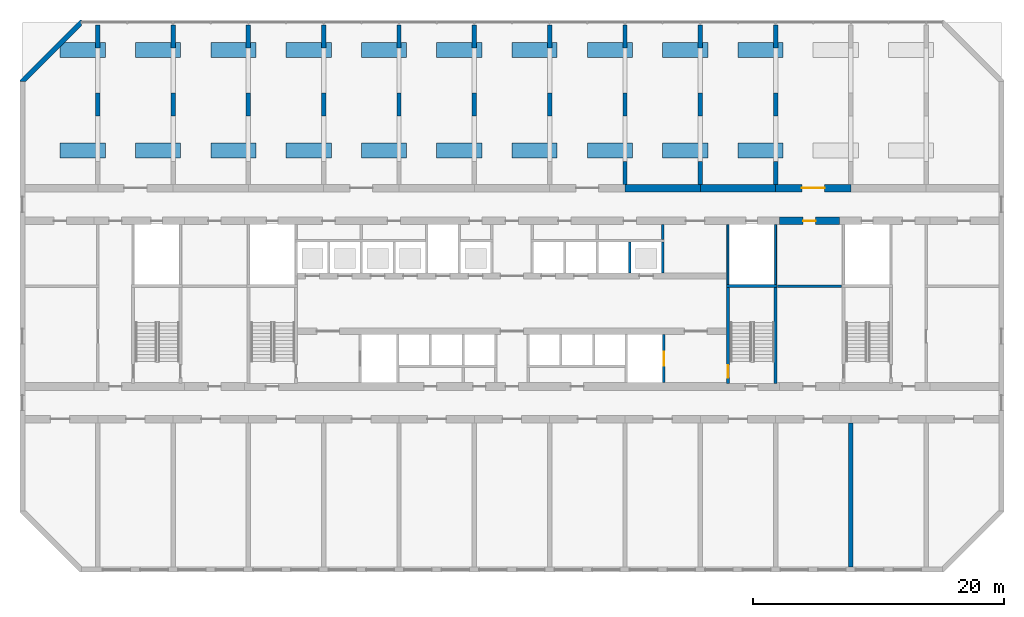
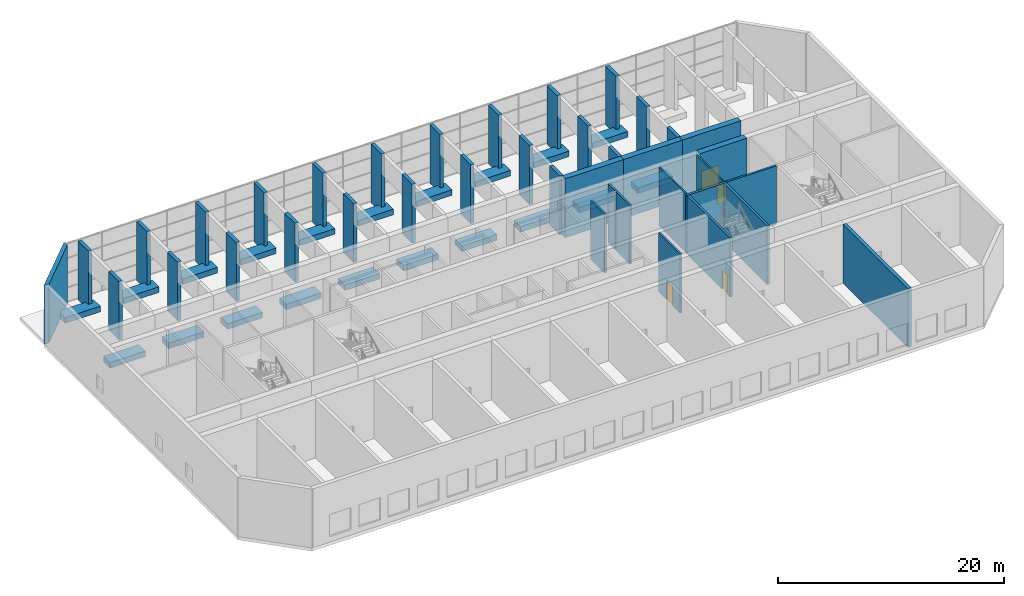
# One storey, part 11 of 16: 59 walls, 4 doors, 4 openings.
"""IFC4 building model written with IfcOpenShell, lengths in metres."""

from ifc_helpers import new_model, si_unit, direction, frame, frame_2d, origin, place, context, subcontext, project, spatial, polyline, rectangle, outline, extrude, source, transform, mapped, material, layer, layer_set, type_object, element, fill, save


model = new_model("IFC4")

# Units and contexts
model_context = context("Model", 3, precision=1e-05, world=origin(), true_north=direction((0.0, 1.0)))
body_context = subcontext(model_context, "Body", "Model", "MODEL_VIEW")
ifc_project = project(units=[si_unit("LENGTHUNIT", "METRE"), si_unit("AREAUNIT", "SQUARE_METRE"), si_unit("VOLUMEUNIT", "CUBIC_METRE"), si_unit("PLANEANGLEUNIT", "RADIAN"), si_unit("MASSUNIT", "GRAM", prefix="KILO")], contexts=[model_context])

# Site, building, storey
site_placement = place(None, origin())
site = spatial("IfcSite", under=ifc_project, at=site_placement, CompositionType="ELEMENT")
building_placement = place(site_placement, origin())
building = spatial("IfcBuilding", under=site, at=building_placement, Name="Poui Terraces", CompositionType="ELEMENT")
storey_placement = place(building_placement, frame((0.0, 0.0, 115.800048828125)))
storey = spatial("IfcBuildingStorey", under=building, at=storey_placement, Name="L32", CompositionType="ELEMENT", Elevation=115.800048828125)

# Walls
ifc_material_1 = material(Name="Concrete 65 MPa", Category="concrete")
ifc_layer_1 = layer(ifc_material_1, 0.60009765625)
ifc_layer_set_1 = layer_set([ifc_layer_1], Name="Concrete 65 MPa")
wall_type_1 = type_object("IfcWallType", Name="BELT WALL 600 65MPa", PredefinedType="SHEAR", material=ifc_layer_set_1)
for number, where, z_axis, x_axis, name in (
    (1, (60.0, 30.39990234375, 0.0), (0.0, 0.0, 1.0), (1.0, 0.0, 0.0), "BELT WALL LINE E BAY 9"),
    (2, (66.0, 30.39990234375, 0.0), (0.0, 0.0, 1.0), (1.0, 0.0, 0.0), "BELT WALL LINE E BAY 10"),
):
    element("IfcWall", number, at=place(storey_placement, frame(where, z_axis=z_axis, x_axis=x_axis)), inside=storey, type_object=wall_type_1, Name=name, PredefinedType="SHEAR", context=body_context, shape_type="SweptSolid", body=[
        extrude(rectangle(XDim=6.0, YDim=0.60009765625, at=frame_2d((3.0, 0.0))), origin(), (0.0, 0.0, 1.0), 6.369873046875),
    ])

# Wall, opening, door
wall_1_placement = place(storey_placement, frame((72.0, 30.39990234375, 0.0), z_axis=(0.0, 0.0, 1.0), x_axis=(1.0, 0.0, 0.0)))
wall_1 = element("IfcWall", 3, at=wall_1_placement, inside=storey, type_object=wall_type_1, Name="BELT WALL LINE E BAY 11", PredefinedType="SHEAR", context=body_context, shape_type="SweptSolid", body=[
    extrude(rectangle(XDim=6.0, YDim=0.60009765625, at=frame_2d((3.0, 0.0))), origin(), (0.0, 0.0, 1.0), 6.369873046875),
])
opening_1_placement = place(wall_1_placement, frame((2.10009765625, 0.0, 0.0)))
opening_1 = element("IfcOpeningElement", 4, at=opening_1_placement, cuts=wall_1, Name="Opening DD180", PredefinedType="OPENING", context=body_context, shape_type="SweptSolid", body=[
    extrude(rectangle(XDim=1.800048828125, YDim=2.10009765625, at=frame_2d((0.89990234375, 1.050048828125))), frame((0.0, 0.31005859375, 0.0), z_axis=(0.0, -1.0, 0.0), x_axis=(1.0, 0.0, 0.0)), (0.0, 0.0, 1.0), 0.6201171875),
])
ifc_material_2 = material(Name="Steel fire door", Category="steel")
door_type_1 = type_object("IfcDoorType", Name="DOUBLE INTERNAL DOOR 1800 X 2100", OperationType="DOUBLE_DOOR_SINGLE_SWING", PredefinedType="DOOR", material=ifc_material_2)
door_1_placement = place(opening_1_placement, frame((1.800048828125, 0.0, 0.0), z_axis=(0.0, 0.0, 1.0), x_axis=(-1.0, 0.0, 0.0)))
door_1 = element("IfcDoor", 5, at=door_1_placement, inside=storey, type_object=door_type_1, Name="DOUBLE INTERNAL DOOR 018", OperationType="DOUBLE_DOOR_SINGLE_SWING", OverallHeight=2.10009765625, OverallWidth=1.800048828125, PredefinedType="DOOR", context=body_context, shape_type="SweptSolid", body=[
    extrude(rectangle(XDim=1.800048828125, YDim=2.10009765625, at=frame_2d((0.89990234375, 1.050048828125))), frame((0.0, 0.02490234375, 0.0), z_axis=(0.0, -1.0, 0.0), x_axis=(1.0, 0.0, 0.0)), (0.0, 0.0, 1.0), 0.050048828125),
])
fill(opening_1, door_1)

# Wall
ifc_layer_2 = layer(ifc_material_1, 0.35009765625)
ifc_layer_set_2 = layer_set([ifc_layer_2], Name="Concrete 65 MPa")
wall_type_2 = type_object("IfcWallType", Name="CROSS WALL 350 65MPa", PredefinedType="SHEAR", material=ifc_layer_set_2)
wall_2_placement = place(storey_placement, frame((78.0, 0.199951171875, 0.0), z_axis=(0.0, 0.0, 1.0), x_axis=(0.0, 1.0, 0.0)))
element("IfcWall", 6, at=wall_2_placement, inside=storey, type_object=wall_type_2, Name="CROSS WALL LINE 14 SOUTH", PredefinedType="SHEAR", context=body_context, shape_type="SweptSolid", body=[
    extrude(rectangle(XDim=11.5, YDim=0.35009765625, at=frame_2d((5.75, 0.0))), origin(), (0.0, 0.0, 1.0), 6.369873046875),
])

# Wall, opening, door
ifc_layer_3 = layer(ifc_material_1, 0.60009765625)
ifc_layer_set_3 = layer_set([ifc_layer_3], Name="Concrete 65 MPa")
wall_type_3 = type_object("IfcWallType", Name="OUTRIGGER WALL 600 65MPa", PredefinedType="SHEAR", material=ifc_layer_set_3)
wall_3_placement = place(storey_placement, frame((72.300048828125, 27.800048828125, 0.0), z_axis=(0.0, 0.0, 1.0), x_axis=(1.0, 0.0, 0.0)))
wall_3 = element("IfcWall", 7, at=wall_3_placement, inside=storey, type_object=wall_type_3, Name="OUTRIGGER WALL LINE D E2", PredefinedType="SHEAR", context=body_context, shape_type="SweptSolid", body=[
    extrude(rectangle(XDim=4.800048828125, YDim=0.60009765625, at=frame_2d((2.39990234375, 0.0))), origin(), (0.0, 0.0, 1.0), 6.369873046875),
])
opening_2_placement = place(wall_3_placement, frame((1.89990234375, 0.0, 0.0)))
opening_2 = element("IfcOpeningElement", 8, at=opening_2_placement, cuts=wall_3, Name="Opening FD60", PredefinedType="OPENING", context=body_context, shape_type="SweptSolid", body=[
    extrude(rectangle(XDim=1.0, YDim=2.10009765625, at=frame_2d((0.5, 1.050048828125))), frame((0.0, 0.31005859375, 0.0), z_axis=(0.0, -1.0, 0.0), x_axis=(1.0, 0.0, 0.0)), (0.0, 0.0, 1.0), 0.6201171875),
])
door_type_2 = type_object("IfcDoorType", Name="SERVICE ROOM FIRE DOOR 1000 X 2100", OperationType="NOTDEFINED", PredefinedType="DOOR", material=ifc_material_2)
door_2_placement = place(opening_2_placement, origin())
door_2 = element("IfcDoor", 9, at=door_2_placement, inside=storey, type_object=door_type_2, Name="SERVICE ROOM FIRE DOOR 017", OperationType="SINGLE_SWING_LEFT", OverallHeight=2.10009765625, OverallWidth=1.0, PredefinedType="DOOR", context=body_context, shape_type="SweptSolid", body=[
    extrude(rectangle(XDim=1.0, YDim=2.10009765625, at=frame_2d((0.5, 1.050048828125))), frame((0.0, 0.02490234375, 0.0), z_axis=(0.0, -1.0, 0.0), x_axis=(1.0, 0.0, 0.0)), (0.0, 0.0, 1.0), 0.050048828125),
])
fill(opening_2, door_2)

# Walls
ifc_layer_4 = layer(ifc_material_1, 0.35009765625)
ifc_layer_set_4 = layer_set([ifc_layer_4], Name="Concrete 65 MPa")
wall_type_4 = type_object("IfcWallType", Name="PIERCED CROSS WALL 350 65MPa", PredefinedType="SHEAR", material=ifc_layer_set_4)
wall_4_placement = place(storey_placement, frame((18.0, 36.13330078125, 0.0), z_axis=(0.0, 0.0, 1.0), x_axis=(0.0, 1.0, 0.0)))
element("IfcWall", 10, at=wall_4_placement, inside=storey, type_object=wall_type_4, Name="PIER LINE 4 2", PredefinedType="SHEAR", context=body_context, shape_type="SweptSolid", body=[
    extrude(rectangle(XDim=1.83349609375, YDim=0.35009765625, at=frame_2d((0.916748046875, 0.0))), origin(), (0.0, 0.0, 1.0), 6.369873046875),
])
wall_5_placement = place(storey_placement, frame((18.0, 41.566650390625, 0.0), z_axis=(0.0, 0.0, 1.0), x_axis=(0.0, 1.0, 0.0)))
element("IfcWall", 11, at=wall_5_placement, inside=storey, type_object=wall_type_4, Name="PIER LINE 4 3", PredefinedType="SHEAR", context=body_context, shape_type="SweptSolid", body=[
    extrude(rectangle(XDim=1.833251953125, YDim=0.35009765625, at=frame_2d((0.91650390625, 0.0))), origin(), (0.0, 0.0, 1.0), 6.369873046875),
])
wall_6_placement = place(storey_placement, frame((24.0, 36.13330078125, 0.0), z_axis=(0.0, 0.0, 1.0), x_axis=(0.0, 1.0, 0.0)))
element("IfcWall", 12, at=wall_6_placement, inside=storey, type_object=wall_type_4, Name="PIER LINE 5 2", PredefinedType="SHEAR", context=body_context, shape_type="SweptSolid", body=[
    extrude(rectangle(XDim=1.83349609375, YDim=0.35009765625, at=frame_2d((0.916748046875, 0.0))), origin(), (0.0, 0.0, 1.0), 6.369873046875),
])
wall_7_placement = place(storey_placement, frame((24.0, 41.566650390625, 0.0), z_axis=(0.0, 0.0, 1.0), x_axis=(0.0, 1.0, 0.0)))
element("IfcWall", 13, at=wall_7_placement, inside=storey, type_object=wall_type_4, Name="PIER LINE 5 3", PredefinedType="SHEAR", context=body_context, shape_type="SweptSolid", body=[
    extrude(rectangle(XDim=1.833251953125, YDim=0.35009765625, at=frame_2d((0.91650390625, 0.0))), origin(), (0.0, 0.0, 1.0), 6.369873046875),
])
wall_8_placement = place(storey_placement, frame((30.0, 36.13330078125, 0.0), z_axis=(0.0, 0.0, 1.0), x_axis=(0.0, 1.0, 0.0)))
element("IfcWall", 14, at=wall_8_placement, inside=storey, type_object=wall_type_4, Name="PIER LINE 6 2", PredefinedType="SHEAR", context=body_context, shape_type="SweptSolid", body=[
    extrude(rectangle(XDim=1.83349609375, YDim=0.35009765625, at=frame_2d((0.916748046875, 0.0))), origin(), (0.0, 0.0, 1.0), 6.369873046875),
])
wall_9_placement = place(storey_placement, frame((30.0, 41.566650390625, 0.0), z_axis=(0.0, 0.0, 1.0), x_axis=(0.0, 1.0, 0.0)))
element("IfcWall", 15, at=wall_9_placement, inside=storey, type_object=wall_type_4, Name="PIER LINE 6 3", PredefinedType="SHEAR", context=body_context, shape_type="SweptSolid", body=[
    extrude(rectangle(XDim=1.833251953125, YDim=0.35009765625, at=frame_2d((0.91650390625, 0.0))), origin(), (0.0, 0.0, 1.0), 6.369873046875),
])
wall_10_placement = place(storey_placement, frame((36.0, 36.13330078125, 0.0), z_axis=(0.0, 0.0, 1.0), x_axis=(0.0, 1.0, 0.0)))
element("IfcWall", 16, at=wall_10_placement, inside=storey, type_object=wall_type_4, Name="PIER LINE 7 2", PredefinedType="SHEAR", context=body_context, shape_type="SweptSolid", body=[
    extrude(rectangle(XDim=1.83349609375, YDim=0.35009765625, at=frame_2d((0.916748046875, 0.0))), origin(), (0.0, 0.0, 1.0), 6.369873046875),
])
wall_11_placement = place(storey_placement, frame((36.0, 41.566650390625, 0.0), z_axis=(0.0, 0.0, 1.0), x_axis=(0.0, 1.0, 0.0)))
element("IfcWall", 17, at=wall_11_placement, inside=storey, type_object=wall_type_4, Name="PIER LINE 7 3", PredefinedType="SHEAR", context=body_context, shape_type="SweptSolid", body=[
    extrude(rectangle(XDim=1.833251953125, YDim=0.35009765625, at=frame_2d((0.91650390625, 0.0))), origin(), (0.0, 0.0, 1.0), 6.369873046875),
])
wall_12_placement = place(storey_placement, frame((42.0, 36.13330078125, 0.0), z_axis=(0.0, 0.0, 1.0), x_axis=(0.0, 1.0, 0.0)))
element("IfcWall", 18, at=wall_12_placement, inside=storey, type_object=wall_type_4, Name="PIER LINE 8 2", PredefinedType="SHEAR", context=body_context, shape_type="SweptSolid", body=[
    extrude(rectangle(XDim=1.83349609375, YDim=0.35009765625, at=frame_2d((0.916748046875, 0.0))), origin(), (0.0, 0.0, 1.0), 6.369873046875),
])
wall_13_placement = place(storey_placement, frame((42.0, 41.566650390625, 0.0), z_axis=(0.0, 0.0, 1.0), x_axis=(0.0, 1.0, 0.0)))
element("IfcWall", 19, at=wall_13_placement, inside=storey, type_object=wall_type_4, Name="PIER LINE 8 3", PredefinedType="SHEAR", context=body_context, shape_type="SweptSolid", body=[
    extrude(rectangle(XDim=1.833251953125, YDim=0.35009765625, at=frame_2d((0.91650390625, 0.0))), origin(), (0.0, 0.0, 1.0), 6.369873046875),
])
wall_14_placement = place(storey_placement, frame((48.0, 36.13330078125, 0.0), z_axis=(0.0, 0.0, 1.0), x_axis=(0.0, 1.0, 0.0)))
element("IfcWall", 20, at=wall_14_placement, inside=storey, type_object=wall_type_4, Name="PIER LINE 9 2", PredefinedType="SHEAR", context=body_context, shape_type="SweptSolid", body=[
    extrude(rectangle(XDim=1.83349609375, YDim=0.35009765625, at=frame_2d((0.916748046875, 0.0))), origin(), (0.0, 0.0, 1.0), 6.369873046875),
])
wall_15_placement = place(storey_placement, frame((48.0, 41.566650390625, 0.0), z_axis=(0.0, 0.0, 1.0), x_axis=(0.0, 1.0, 0.0)))
element("IfcWall", 21, at=wall_15_placement, inside=storey, type_object=wall_type_4, Name="PIER LINE 9 3", PredefinedType="SHEAR", context=body_context, shape_type="SweptSolid", body=[
    extrude(rectangle(XDim=1.833251953125, YDim=0.35009765625, at=frame_2d((0.91650390625, 0.0))), origin(), (0.0, 0.0, 1.0), 6.369873046875),
])
wall_16_placement = place(storey_placement, frame((54.0, 36.13330078125, 0.0), z_axis=(0.0, 0.0, 1.0), x_axis=(0.0, 1.0, 0.0)))
element("IfcWall", 22, at=wall_16_placement, inside=storey, type_object=wall_type_4, Name="PIER LINE 10 2", PredefinedType="SHEAR", context=body_context, shape_type="SweptSolid", body=[
    extrude(rectangle(XDim=1.83349609375, YDim=0.35009765625, at=frame_2d((0.916748046875, 0.0))), origin(), (0.0, 0.0, 1.0), 6.369873046875),
])
for number, where, z_axis, x_axis, name in (
    (23, (54.0, 41.566650390625, 0.0), (0.0, 0.0, 1.0), (0.0, 1.0, 0.0), "PIER LINE 10 3"),
    (24, (60.0, 30.699951171875, 0.0), (0.0, 0.0, 1.0), (0.0, 1.0, 0.0), "PIER LINE 11 1"),
):
    element("IfcWall", number, at=place(storey_placement, frame(where, z_axis=z_axis, x_axis=x_axis)), inside=storey, type_object=wall_type_4, Name=name, PredefinedType="SHEAR", context=body_context, shape_type="SweptSolid", body=[
        extrude(rectangle(XDim=1.833251953125, YDim=0.35009765625, at=frame_2d((0.91650390625, 0.0))), origin(), (0.0, 0.0, 1.0), 6.369873046875),
    ])
wall_17_placement = place(storey_placement, frame((60.0, 36.13330078125, 0.0), z_axis=(0.0, 0.0, 1.0), x_axis=(0.0, 1.0, 0.0)))
element("IfcWall", 25, at=wall_17_placement, inside=storey, type_object=wall_type_4, Name="PIER LINE 11 2", PredefinedType="SHEAR", context=body_context, shape_type="SweptSolid", body=[
    extrude(rectangle(XDim=1.83349609375, YDim=0.35009765625, at=frame_2d((0.916748046875, 0.0))), origin(), (0.0, 0.0, 1.0), 6.369873046875),
])
for number, where, z_axis, x_axis, name in (
    (26, (60.0, 41.566650390625, 0.0), (0.0, 0.0, 1.0), (0.0, 1.0, 0.0), "PIER LINE 11 3"),
    (27, (66.0, 30.699951171875, 0.0), (0.0, 0.0, 1.0), (0.0, 1.0, 0.0), "PIER LINE 12 1"),
):
    element("IfcWall", number, at=place(storey_placement, frame(where, z_axis=z_axis, x_axis=x_axis)), inside=storey, type_object=wall_type_4, Name=name, PredefinedType="SHEAR", context=body_context, shape_type="SweptSolid", body=[
        extrude(rectangle(XDim=1.833251953125, YDim=0.35009765625, at=frame_2d((0.91650390625, 0.0))), origin(), (0.0, 0.0, 1.0), 6.369873046875),
    ])
wall_18_placement = place(storey_placement, frame((66.0, 36.13330078125, 0.0), z_axis=(0.0, 0.0, 1.0), x_axis=(0.0, 1.0, 0.0)))
element("IfcWall", 28, at=wall_18_placement, inside=storey, type_object=wall_type_4, Name="PIER LINE 12 2", PredefinedType="SHEAR", context=body_context, shape_type="SweptSolid", body=[
    extrude(rectangle(XDim=1.83349609375, YDim=0.35009765625, at=frame_2d((0.916748046875, 0.0))), origin(), (0.0, 0.0, 1.0), 6.369873046875),
])
for number, where, z_axis, x_axis, name in (
    (29, (66.0, 41.566650390625, 0.0), (0.0, 0.0, 1.0), (0.0, 1.0, 0.0), "PIER LINE 12 3"),
    (30, (72.0, 30.699951171875, 0.0), (0.0, 0.0, 1.0), (0.0, 1.0, 0.0), "PIER LINE 13 1"),
):
    element("IfcWall", number, at=place(storey_placement, frame(where, z_axis=z_axis, x_axis=x_axis)), inside=storey, type_object=wall_type_4, Name=name, PredefinedType="SHEAR", context=body_context, shape_type="SweptSolid", body=[
        extrude(rectangle(XDim=1.833251953125, YDim=0.35009765625, at=frame_2d((0.91650390625, 0.0))), origin(), (0.0, 0.0, 1.0), 6.369873046875),
    ])
wall_19_placement = place(storey_placement, frame((72.0, 36.13330078125, 0.0), z_axis=(0.0, 0.0, 1.0), x_axis=(0.0, 1.0, 0.0)))
element("IfcWall", 31, at=wall_19_placement, inside=storey, type_object=wall_type_4, Name="PIER LINE 13 2", PredefinedType="SHEAR", context=body_context, shape_type="SweptSolid", body=[
    extrude(rectangle(XDim=1.83349609375, YDim=0.35009765625, at=frame_2d((0.916748046875, 0.0))), origin(), (0.0, 0.0, 1.0), 6.369873046875),
])
wall_20_placement = place(storey_placement, frame((72.0, 41.566650390625, 0.0), z_axis=(0.0, 0.0, 1.0), x_axis=(0.0, 1.0, 0.0)))
element("IfcWall", 32, at=wall_20_placement, inside=storey, type_object=wall_type_4, Name="PIER LINE 13 3", PredefinedType="SHEAR", context=body_context, shape_type="SweptSolid", body=[
    extrude(rectangle(XDim=1.833251953125, YDim=0.35009765625, at=frame_2d((0.91650390625, 0.0))), origin(), (0.0, 0.0, 1.0), 6.369873046875),
])
ifc_material_3 = material(Name="Fire-rated masonry wall", Category="masonry")
ifc_layer_5 = layer(ifc_material_3, 0.199951171875)
ifc_layer_set_5 = layer_set([ifc_layer_5], Name="Fire-rated masonry wall")
wall_type_5 = type_object("IfcWallType", Name="PLANT ROOM WALL 200", PredefinedType="PARTITIONING", material=ifc_layer_set_5)
wall_21_placement = place(storey_placement, frame((63.0, 26.300048828125, 0.0), z_axis=(0.0, 0.0, 1.0), x_axis=(0.0, 1.0, 0.0)))
element("IfcWall", 33, at=wall_21_placement, inside=storey, type_object=wall_type_5, Name="PLANT ROOM WALL 200", PredefinedType="PARTITIONING", context=body_context, shape_type="SweptSolid", body=[
    extrude(rectangle(XDim=1.18994140625, YDim=0.199951171875, at=frame_2d((0.594970703125, 0.0))), origin(), (0.0, 0.0, 1.0), 6.369873046875),
])
ifc_layer_6 = layer(ifc_material_3, 0.199951171875)
ifc_layer_set_6 = layer_set([ifc_layer_6], Name="Fire-rated masonry wall")
wall_type_6 = type_object("IfcWallType", Name="REFUGE AREA WALL 200", PredefinedType="PARTITIONING", material=ifc_layer_set_6)
wall_22_placement = place(storey_placement, frame((72.135009765625, 22.60009765625, 0.0), z_axis=(0.0, 0.0, 1.0), x_axis=(1.0, 0.0, 0.0)))
element("IfcWall", 34, at=wall_22_placement, inside=storey, type_object=wall_type_6, Name="REFUGE AREA WALL 200", PredefinedType="PARTITIONING", context=body_context, shape_type="SweptSolid", body=[
    extrude(rectangle(XDim=5.1298828125, YDim=0.199951171875, at=frame_2d((2.56494140625, 0.0))), origin(), (0.0, 0.0, 1.0), 6.369873046875),
])
ifc_material_4 = material(Name="Fire-rated plasterboard riser wall")
ifc_layer_7 = layer(ifc_material_4, 0.14990234375)
ifc_layer_set_7 = layer_set([ifc_layer_7], Name="Fire-rated plasterboard riser wall")
wall_type_7 = type_object("IfcWallType", Name="RISER WALL 150", PredefinedType="PARTITIONING", material=ifc_layer_set_7)
for number, where, z_axis, x_axis, name in (
    (35, (68.199951171875, 22.735107421875, 0.0), (0.0, 0.0, 1.0), (0.0, 1.0, 0.0), "RISER WALL 150"),
    (36, (72.0, 22.735107421875, 0.0), (0.0, 0.0, 1.0), (0.0, 1.0, 0.0), "RISER WALL 150"),
):
    element("IfcWall", number, at=place(storey_placement, frame(where, z_axis=z_axis, x_axis=x_axis)), inside=storey, type_object=wall_type_7, Name=name, PredefinedType="PARTITIONING", context=body_context, shape_type="SweptSolid", body=[
        extrude(rectangle(XDim=4.7548828125, YDim=0.14990234375, at=frame_2d((2.37744140625, 0.0))), origin(), (0.0, 0.0, 1.0), 6.369873046875),
    ])
ifc_material_5 = material(Name="Fire-rated masonry shaft wall", Category="masonry")
ifc_layer_8 = layer(ifc_material_5, 0.199951171875)
ifc_layer_set_8 = layer_set([ifc_layer_8], Name="Fire-rated masonry shaft wall")
wall_type_8 = type_object("IfcWallType", Name="SHAFT WALL 200", PredefinedType="PARTITIONING", material=ifc_layer_set_8)
for number, where, z_axis, x_axis, name in (
    (37, (60.39990234375, 23.659912109375, 0.0), (0.0, 0.0, 1.0), (0.0, 1.0, 0.0), "SHAFT WALL 200"),
    (38, (63.0, 23.659912109375, 0.0), (0.0, 0.0, 1.0), (0.0, 1.0, 0.0), "SHAFT WALL 200"),
):
    element("IfcWall", number, at=place(storey_placement, frame(where, z_axis=z_axis, x_axis=x_axis)), inside=storey, type_object=wall_type_8, Name=name, PredefinedType="PARTITIONING", context=body_context, shape_type="SweptSolid", body=[
        extrude(rectangle(XDim=2.440185546875, YDim=0.199951171875, at=frame_2d((1.22021484375, 0.0))), origin(), (0.0, 0.0, 1.0), 6.369873046875),
    ])

# Wall, opening, door
wall_23_placement = place(storey_placement, frame((63.10009765625, 14.909912109375, 0.0), z_axis=(0.0, 0.0, 1.0), x_axis=(0.0, 1.0, 0.0)))
wall_23 = element("IfcWall", 39, at=wall_23_placement, inside=storey, type_object=wall_type_8, Name="SHAFT WALL 200", PredefinedType="PARTITIONING", context=body_context, shape_type="SweptSolid", body=[
    extrude(rectangle(XDim=3.830078125, YDim=0.199951171875, at=frame_2d((1.9150390625, 0.0))), origin(), (0.0, 0.0, 1.0), 6.369873046875),
])
opening_3_placement = place(wall_23_placement, frame((1.340087890625, 0.0, 0.0)))
opening_3 = element("IfcOpeningElement", 40, at=opening_3_placement, cuts=wall_23, Name="Opening LD", PredefinedType="OPENING", context=body_context, shape_type="SweptSolid", body=[
    extrude(rectangle(XDim=1.10009765625, YDim=2.10009765625, at=frame_2d((0.550048828125, 1.050048828125))), frame((0.0, 0.10986328125, 0.0), z_axis=(0.0, -1.0, 0.0), x_axis=(1.0, 0.0, 0.0)), (0.0, 0.0, 1.0), 0.219970703125),
])
ifc_material_6 = material(Name="Stainless steel sliding door", Category="steel")
door_type_3 = type_object("IfcDoorType", Name="LIFT LANDING DOOR 1100 X 2100", OperationType="DOUBLE_DOOR_SLIDING", PredefinedType="DOOR", material=ifc_material_6)
door_3_placement = place(opening_3_placement, origin())
door_3 = element("IfcDoor", 41, at=door_3_placement, inside=storey, type_object=door_type_3, Name="LANDING DOOR", OperationType="DOUBLE_DOOR_SLIDING", OverallHeight=2.10009765625, OverallWidth=1.10009765625, PredefinedType="DOOR", context=body_context, shape_type="SweptSolid", body=[
    extrude(rectangle(XDim=1.10009765625, YDim=2.10009765625, at=frame_2d((0.550048828125, 1.050048828125))), frame((0.0, 0.02490234375, 0.0), z_axis=(0.0, -1.0, 0.0), x_axis=(1.0, 0.0, 0.0)), (0.0, 0.0, 1.0), 0.050048828125),
])
fill(opening_3, door_3)

ifc_layer_9 = layer(ifc_material_1, 0.25)
ifc_layer_set_9 = layer_set([ifc_layer_9], Name="Concrete 65 MPa")
wall_type_9 = type_object("IfcWallType", Name="STAIR CORE WALL 250 65 MPA", PredefinedType="SOLIDWALL", material=ifc_layer_set_9)
wall_24_placement = place(storey_placement, frame((68.199951171875, 14.85009765625, 0.0), z_axis=(0.0, 0.0, 1.0), x_axis=(0.0, 1.0, 0.0)))
wall_24 = element("IfcWall", 42, at=wall_24_placement, inside=storey, type_object=wall_type_9, Name="STAIR CORE WALL", PredefinedType="SOLIDWALL", context=body_context, shape_type="SweptSolid", body=[
    extrude(rectangle(XDim=7.625, YDim=0.25, at=frame_2d((3.8125, 0.0))), origin(), (0.0, 0.0, 1.0), 6.369873046875),
])
opening_4_placement = place(wall_24_placement, frame((0.449951171875, 0.0, 0.0)))
opening_4 = element("IfcOpeningElement", 43, at=opening_4_placement, cuts=wall_24, Name="Opening FD60S", PredefinedType="OPENING", context=body_context, shape_type="SweptSolid", body=[
    extrude(rectangle(XDim=1.0, YDim=2.10009765625, at=frame_2d((0.5, 1.050048828125))), frame((0.0, 0.135009765625, 0.0), z_axis=(0.0, -1.0, 0.0), x_axis=(1.0, 0.0, 0.0)), (0.0, 0.0, 1.0), 0.27001953125),
])
door_type_4 = type_object("IfcDoorType", Name="STAIR DOOR 1000 X 2100", OperationType="NOTDEFINED", PredefinedType="DOOR", material=ifc_material_2)
door_4_placement = place(opening_4_placement, frame((1.0, 0.0, 0.0), z_axis=(0.0, 0.0, 1.0), x_axis=(-1.0, 0.0, 0.0)))
door_4 = element("IfcDoor", 44, at=door_4_placement, inside=storey, type_object=door_type_4, Name="STAIR DOOR 046", OperationType="SINGLE_SWING_LEFT", OverallHeight=2.10009765625, OverallWidth=1.0, PredefinedType="DOOR", context=body_context, shape_type="SweptSolid", body=[
    extrude(rectangle(XDim=1.0, YDim=2.10009765625, at=frame_2d((0.5, 1.050048828125))), frame((0.0, 0.02490234375, 0.0), z_axis=(0.0, -1.0, 0.0), x_axis=(1.0, 0.0, 0.0)), (0.0, 0.0, 1.0), 0.050048828125),
])
fill(opening_4, door_4)

# Walls
wall_25_placement = place(storey_placement, frame((72.0, 14.85009765625, 0.0), z_axis=(0.0, 0.0, 1.0), x_axis=(0.0, 1.0, 0.0)))
element("IfcWall", 45, at=wall_25_placement, inside=storey, type_object=wall_type_9, Name="STAIR CORE WALL", PredefinedType="SOLIDWALL", context=body_context, shape_type="SweptSolid", body=[
    extrude(rectangle(XDim=7.625, YDim=0.25, at=frame_2d((3.8125, 0.0))), origin(), (0.0, 0.0, 1.0), 6.369873046875),
])
wall_26_placement = place(storey_placement, frame((68.074951171875, 22.60009765625, 0.0), z_axis=(0.0, 0.0, 1.0), x_axis=(1.0, 0.0, 0.0)))
element("IfcWall", 46, at=wall_26_placement, inside=storey, type_object=wall_type_9, Name="STAIR CORE WALL", PredefinedType="SOLIDWALL", context=body_context, shape_type="SweptSolid", body=[
    extrude(rectangle(XDim=4.050048828125, YDim=0.25, at=frame_2d((2.02490234375, 0.0))), origin(), (0.0, 0.0, 1.0), 6.369873046875),
])
ifc_material_7 = material(Name="Precast concrete 40 MPa", Category="concrete")
ifc_layer_10 = layer(ifc_material_7, 0.39990234375)
ifc_layer_set_10 = layer_set([ifc_layer_10], Name="Precast concrete 40 MPa")
wall_type_10 = type_object("IfcWallType", Name="TERRACOTTA CLAD CHAMFER WALL 400", PredefinedType="STANDARD", material=ifc_layer_set_10)
wall_27_placement = place(storey_placement, origin())
element("IfcWall", 47, at=wall_27_placement, inside=storey, type_object=wall_type_10, Name="CHAMFER WALL CH05", PredefinedType="STANDARD", context=body_context, shape_type="SweptSolid", body=[
    extrude(outline(polyline([(16.682861328125, 43.800048828125), (16.60009765625, 43.800048828125), (11.800048828125, 39.0), (11.800048828125, 38.917236328125), (12.28271484375, 38.917236328125), (16.682861328125, 43.317138671875), (16.682861328125, 43.800048828125)])), origin(), (0.0, 0.0, 1.0), 6.369873046875),
])
ifc_layer_11 = layer(ifc_material_7, 1.199951171875)
ifc_layer_set_11 = layer_set([ifc_layer_11], Name="Precast concrete 40 MPa")
wall_type_11 = type_object("IfcWallType", Name="PLANTER 600", PredefinedType="USERDEFINED", material=ifc_layer_set_11)
shared_shape = source(origin(), body_context, "Body", "SweptSolid", [
    extrude(outline(polyline([(0.0, 0.0), (3.60009765625, 0.0), (3.60009765625, 1.199951171875), (0.0, 1.199951171875), (0.0, 0.0)])), origin(), (0.0, 0.0, 1.0), 0.599853515625),
])
for number, where, name in (
    (48, (15.0, 32.800048828125, 0.0), "PLANTER"),
    (49, (21.0, 32.800048828125, 0.0), "PLANTER"),
    (50, (27.0, 32.800048828125, 0.0), "PLANTER"),
    (51, (33.0, 32.800048828125, 0.0), "PLANTER"),
    (52, (39.0, 32.800048828125, 0.0), "PLANTER"),
    (53, (45.0, 32.800048828125, 0.0), "PLANTER"),
    (54, (51.0, 32.800048828125, 0.0), "PLANTER"),
    (55, (57.0, 32.800048828125, 0.0), "PLANTER"),
    (56, (63.0, 32.800048828125, 0.0), "PLANTER"),
    (57, (69.0, 32.800048828125, 0.0), "PLANTER"),
    (58, (15.0, 40.800048828125, 0.0), "PLANTER"),
    (59, (21.0, 40.800048828125, 0.0), "PLANTER"),
    (60, (27.0, 40.800048828125, 0.0), "PLANTER"),
    (61, (33.0, 40.800048828125, 0.0), "PLANTER"),
    (62, (39.0, 40.800048828125, 0.0), "PLANTER"),
    (63, (45.0, 40.800048828125, 0.0), "PLANTER"),
    (64, (51.0, 40.800048828125, 0.0), "PLANTER"),
    (65, (57.0, 40.800048828125, 0.0), "PLANTER"),
    (66, (63.0, 40.800048828125, 0.0), "PLANTER"),
    (67, (69.0, 40.800048828125, 0.0), "PLANTER"),
):
    element("IfcWall", number, at=place(storey_placement, frame(where)), inside=storey, type_object=wall_type_11, Name=name, ObjectType="PLANTER", PredefinedType="USERDEFINED", context=body_context, shape_type="MappedRepresentation", body=[
        mapped(shared_shape, transform((0.0, 0.0, 0.0))),
    ])

save(model, "model.ifc")
